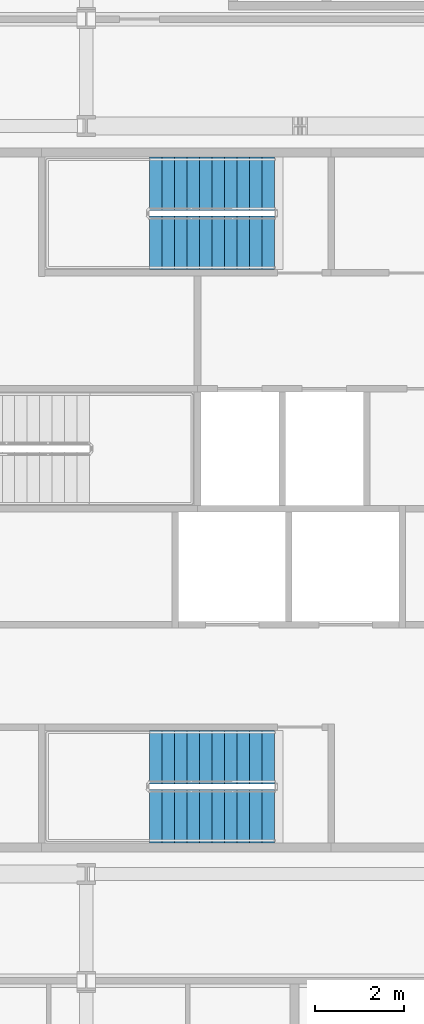
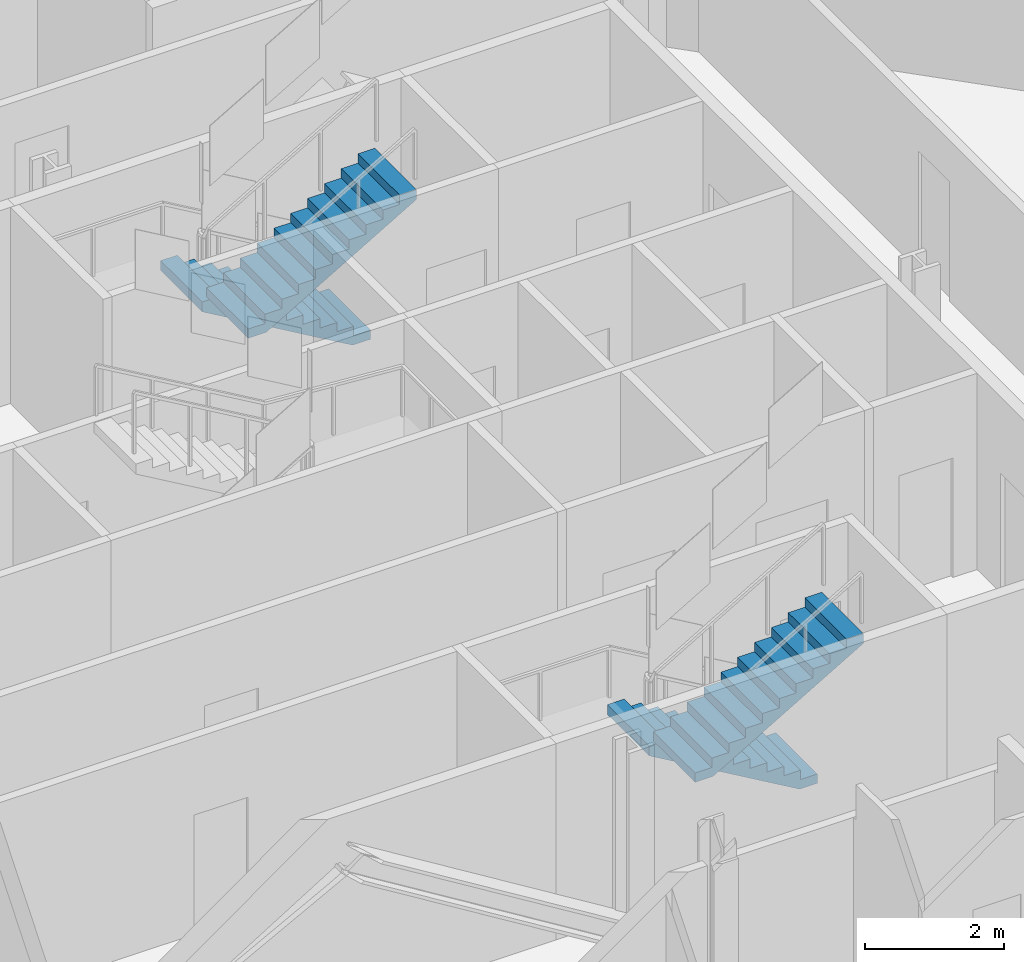
# One storey, part 14 of 22: 4 stair flights, 2 elements without a shape of their own.
"""IFC4 building model written with IfcOpenShell, lengths in metres."""

from ifc_helpers import new_model, si_unit, direction, frame, origin, place, context, subcontext, project, spatial, polyline, outline, extrude, material, type_object, element, aggregate, save


model = new_model("IFC4")

# Units and contexts
model_context = context("Model", 3, precision=1e-05, world=origin(), true_north=direction((0.0, 1.0)))
body_context = subcontext(model_context, "Body", "Model", "MODEL_VIEW")
ifc_project = project(units=[si_unit("LENGTHUNIT", "METRE"), si_unit("AREAUNIT", "SQUARE_METRE"), si_unit("VOLUMEUNIT", "CUBIC_METRE"), si_unit("PLANEANGLEUNIT", "RADIAN"), si_unit("MASSUNIT", "GRAM", prefix="KILO")], contexts=[model_context])

# Site, building, storey
site_placement = place(None, origin())
site = spatial("IfcSite", under=ifc_project, at=site_placement, CompositionType="ELEMENT")
building_placement = place(site_placement, origin())
building = spatial("IfcBuilding", under=site, at=building_placement, Name="Cairn Pilgrim Tower", CompositionType="ELEMENT")
storey_placement = place(building_placement, frame((0.0, 0.0, 147.0)))
storey = spatial("IfcBuildingStorey", under=building, at=storey_placement, Name="L36", CompositionType="ELEMENT", Elevation=147.0)

# Stair, stair flights
ifc_material = material(Name="Concrete C32/40", Category="concrete")
stair_type = type_object("IfcStairType", Name="EXIT STAIR 1200", PredefinedType="HALF_TURN_STAIR", material=ifc_material)
stair_1_placement = place(storey_placement, origin())
stair_1 = element("IfcStair", 1, at=stair_1_placement, inside=storey, type_object=stair_type, Name="L36 Exit Stair A", PredefinedType="HALF_TURN_STAIR")
stair_flight_type = type_object("IfcStairFlightType", Name="STAIR FLIGHT 1200", PredefinedType="STRAIGHT", material=ifc_material)
stair_flight_1_placement = place(storey_placement, frame((11.425048828125, -3.375, 0.0), z_axis=(0.0, 0.0, 1.0), x_axis=(-1.0, 0.0, 0.0)))
stair_flight_1 = element("IfcStairFlight", 2, at=stair_flight_1_placement, type_object=stair_flight_type, Name="ST-A flight 1", NumberOfRisers=11, NumberOfTreads=10, PredefinedType="STRAIGHT", RiserHeight=0.163636364, TreadLength=0.28, context=body_context, shape_type="SweptSolid", body=[
    extrude(outline(polyline([(0.0, 0.0), (0.0, 0.16357421875), (0.280029296875, 0.16357421875), (0.280029296875, 0.327392578125), (0.56005859375, 0.327392578125), (0.56005859375, 0.490966796875), (0.840087890625, 0.490966796875), (0.840087890625, 0.654541015625), (1.1201171875, 0.654541015625), (1.1201171875, 0.818115234375), (1.39990234375, 0.818115234375), (1.39990234375, 0.98193359375), (1.679931640625, 0.98193359375), (1.679931640625, 1.1455078125), (1.9599609375, 1.1455078125), (1.9599609375, 1.30908203125), (2.239990234375, 1.30908203125), (2.239990234375, 1.47265625), (2.52001953125, 1.47265625), (2.52001953125, 1.636474609375), (2.800048828125, 1.636474609375), (2.800048828125, 1.800048828125), (2.800048828125, 1.462646484375), (0.297119140625, 0.0), (0.0, 0.0)])), frame((0.0, 0.60009765625, 0.0), z_axis=(0.0, -1.0, 0.0), x_axis=(1.0, 0.0, 0.0)), (0.0, 0.0, 1.0), 1.199951171875),
])
stair_flight_2_placement = place(storey_placement, frame((8.625, -4.699951171875, 1.800048828125), z_axis=(0.0, 0.0, 1.0), x_axis=(1.0, 0.0, 0.0)))
stair_flight_2 = element("IfcStairFlight", 3, at=stair_flight_2_placement, type_object=stair_flight_type, Name="ST-A flight 2", NumberOfRisers=11, NumberOfTreads=10, PredefinedType="STRAIGHT", RiserHeight=0.163636364, TreadLength=0.28, context=body_context, shape_type="SweptSolid", body=[
    extrude(outline(polyline([(0.0, 0.0), (0.0, 0.16357421875), (0.280029296875, 0.16357421875), (0.280029296875, 0.327392578125), (0.56005859375, 0.327392578125), (0.56005859375, 0.490966796875), (0.840087890625, 0.490966796875), (0.840087890625, 0.654541015625), (1.1201171875, 0.654541015625), (1.1201171875, 0.818115234375), (1.39990234375, 0.818115234375), (1.39990234375, 0.98193359375), (1.679931640625, 0.98193359375), (1.679931640625, 1.1455078125), (1.9599609375, 1.1455078125), (1.9599609375, 1.30908203125), (2.239990234375, 1.30908203125), (2.239990234375, 1.47265625), (2.52001953125, 1.47265625), (2.52001953125, 1.636474609375), (2.800048828125, 1.636474609375), (2.800048828125, 1.800048828125), (2.800048828125, 1.462646484375), (0.297119140625, 0.0), (0.0, 0.0)])), frame((0.0, 0.60009765625, 0.0), z_axis=(0.0, -1.0, 0.0), x_axis=(1.0, 0.0, 0.0)), (0.0, 0.0, 1.0), 1.199951171875),
])
aggregate(stair_1, [stair_flight_1, stair_flight_2])

stair_2_placement = place(storey_placement, origin())
stair_2 = element("IfcStair", 4, at=stair_2_placement, inside=storey, type_object=stair_type, Name="L36 Exit Stair C", PredefinedType="HALF_TURN_STAIR")
stair_flight_3_placement = place(storey_placement, frame((11.425048828125, 9.5, 0.0), z_axis=(0.0, 0.0, 1.0), x_axis=(-1.0, 0.0, 0.0)))
stair_flight_3 = element("IfcStairFlight", 5, at=stair_flight_3_placement, type_object=stair_flight_type, Name="ST-C flight 1", NumberOfRisers=11, NumberOfTreads=10, PredefinedType="STRAIGHT", RiserHeight=0.163636364, TreadLength=0.28, context=body_context, shape_type="SweptSolid", body=[
    extrude(outline(polyline([(0.0, 0.0), (0.0, 0.16357421875), (0.280029296875, 0.16357421875), (0.280029296875, 0.327392578125), (0.56005859375, 0.327392578125), (0.56005859375, 0.490966796875), (0.840087890625, 0.490966796875), (0.840087890625, 0.654541015625), (1.1201171875, 0.654541015625), (1.1201171875, 0.818115234375), (1.39990234375, 0.818115234375), (1.39990234375, 0.98193359375), (1.679931640625, 0.98193359375), (1.679931640625, 1.1455078125), (1.9599609375, 1.1455078125), (1.9599609375, 1.30908203125), (2.239990234375, 1.30908203125), (2.239990234375, 1.47265625), (2.52001953125, 1.47265625), (2.52001953125, 1.636474609375), (2.800048828125, 1.636474609375), (2.800048828125, 1.800048828125), (2.800048828125, 1.462646484375), (0.297119140625, 0.0), (0.0, 0.0)])), frame((0.0, 0.60009765625, 0.0), z_axis=(0.0, -1.0, 0.0), x_axis=(1.0, 0.0, 0.0)), (0.0, 0.0, 1.0), 1.199951171875),
])
stair_flight_4_placement = place(storey_placement, frame((8.625, 8.175048828125, 1.800048828125), z_axis=(0.0, 0.0, 1.0), x_axis=(1.0, 0.0, 0.0)))
stair_flight_4 = element("IfcStairFlight", 6, at=stair_flight_4_placement, type_object=stair_flight_type, Name="ST-C flight 2", NumberOfRisers=11, NumberOfTreads=10, PredefinedType="STRAIGHT", RiserHeight=0.163636364, TreadLength=0.28, context=body_context, shape_type="SweptSolid", body=[
    extrude(outline(polyline([(0.0, 0.0), (0.0, 0.16357421875), (0.280029296875, 0.16357421875), (0.280029296875, 0.327392578125), (0.56005859375, 0.327392578125), (0.56005859375, 0.490966796875), (0.840087890625, 0.490966796875), (0.840087890625, 0.654541015625), (1.1201171875, 0.654541015625), (1.1201171875, 0.818115234375), (1.39990234375, 0.818115234375), (1.39990234375, 0.98193359375), (1.679931640625, 0.98193359375), (1.679931640625, 1.1455078125), (1.9599609375, 1.1455078125), (1.9599609375, 1.30908203125), (2.239990234375, 1.30908203125), (2.239990234375, 1.47265625), (2.52001953125, 1.47265625), (2.52001953125, 1.636474609375), (2.800048828125, 1.636474609375), (2.800048828125, 1.800048828125), (2.800048828125, 1.462646484375), (0.297119140625, 0.0), (0.0, 0.0)])), frame((0.0, 0.60009765625, 0.0), z_axis=(0.0, -1.0, 0.0), x_axis=(1.0, 0.0, 0.0)), (0.0, 0.0, 1.0), 1.199951171875),
])
aggregate(stair_2, [stair_flight_3, stair_flight_4])

save(model, "model.ifc")
